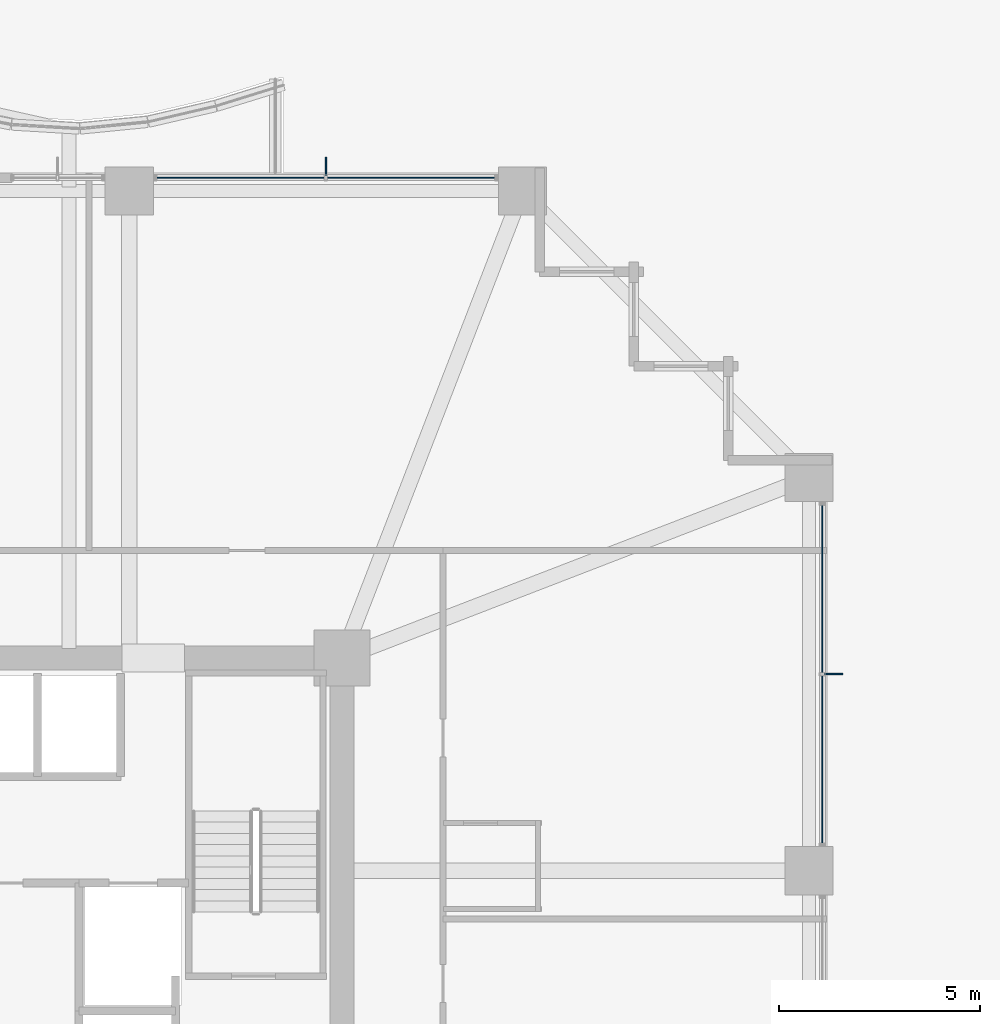
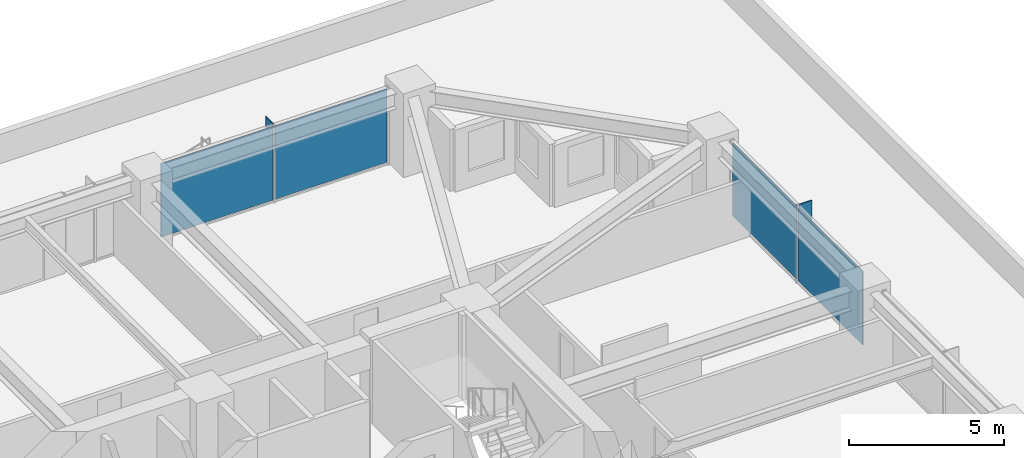
# One storey, part 29 of 36: 6 plates, 2 elements without a shape of their own.
"""IFC4 building model written with IfcOpenShell, lengths in metres."""

from ifc_helpers import new_model, si_unit, direction, frame, origin, origin_2d, place, context, subcontext, project, spatial, rectangle, extrude, material, layer, layer_set, type_object, element, aggregate, save


model = new_model("IFC4")

# Units and contexts
model_context = context("Model", 3, precision=1e-05, world=origin(), true_north=direction((0.0, 1.0)))
body_context = subcontext(model_context, "Body", "Model", "MODEL_VIEW")
ifc_project = project(units=[si_unit("LENGTHUNIT", "METRE"), si_unit("AREAUNIT", "SQUARE_METRE"), si_unit("VOLUMEUNIT", "CUBIC_METRE"), si_unit("PLANEANGLEUNIT", "RADIAN"), si_unit("MASSUNIT", "GRAM", prefix="KILO")], contexts=[model_context])

# Site, building, storey
site_placement = place(None, origin())
site = spatial("IfcSite", under=ifc_project, at=site_placement, CompositionType="ELEMENT")
building_placement = place(site_placement, origin())
building = spatial("IfcBuilding", under=site, at=building_placement, Name="Kolvaren Belvedere", CompositionType="ELEMENT")
storey_placement = place(building_placement, frame((0.0, 0.0, 23.800048828125)))
storey = spatial("IfcBuildingStorey", under=building, at=storey_placement, Name="L06", CompositionType="ELEMENT", Elevation=23.800048828125)

# Curtain wall, plates
ifc_material_1 = material(Name="Anodised pale-metal aluminium AA 6063-T6", Category="aluminium")
curtain_wall_type = type_object("IfcCurtainWallType", Name="CW-Z1-LOW", PredefinedType="NOTDEFINED", material=ifc_material_1)
curtain_wall_1_placement = place(storey_placement, origin())
curtain_wall_1 = element("IfcCurtainWall", 1, at=curtain_wall_1_placement, inside=storey, type_object=curtain_wall_type, Name="L06 Unitised Curtain Wall FCW-L06-E-B1", PredefinedType="NOTDEFINED")
ifc_material_2 = material(Name="Low-iron triple insulated glass", Category="glass")
ifc_layer_1 = layer(ifc_material_2, 0.028076171875)
ifc_layer_set_1 = layer_set([ifc_layer_1], Name="Low-iron triple insulated glass")
plate_type_1 = type_object("IfcPlateType", Name="CW-PNL-VIS28", PredefinedType="CURTAIN_PANEL", material=ifc_layer_set_1)
plate_1_placement = place(storey_placement, frame((21.8798828125, 11.62255859375, 0.080078125), z_axis=(0.0, 0.0, 1.0), x_axis=(0.0, -1.0, 0.0)))
plate_1 = element("IfcPlate", 2, at=plate_1_placement, type_object=plate_type_1, Name="FCW-L06-E-B1 Vision Glazing Panel 1", PredefinedType="CURTAIN_PANEL", context=body_context, shape_type="SweptSolid", body=[
    extrude(rectangle(XDim=4.1650390625, YDim=0.028076171875, at=origin_2d()), origin(), (0.0, 0.0, 1.0), 2.89990234375),
])
plate_2_placement = place(storey_placement, frame((21.8798828125, 7.37744140625, 0.080078125), z_axis=(0.0, 0.0, 1.0), x_axis=(0.0, -1.0, 0.0)))
plate_2 = element("IfcPlate", 3, at=plate_2_placement, type_object=plate_type_1, Name="FCW-L06-E-B1 Vision Glazing Panel 2", PredefinedType="CURTAIN_PANEL", context=body_context, shape_type="SweptSolid", body=[
    extrude(rectangle(XDim=4.1650390625, YDim=0.028076171875, at=origin_2d()), origin(), (0.0, 0.0, 1.0), 2.89990234375),
])
aggregate(curtain_wall_1, [plate_1, plate_2])

curtain_wall_2_placement = place(storey_placement, origin())
curtain_wall_2 = element("IfcCurtainWall", 4, at=curtain_wall_2_placement, inside=storey, type_object=curtain_wall_type, Name="L06 Unitised Curtain Wall FCW-L06-N2-B2", PredefinedType="NOTDEFINED")
plate_3_placement = place(storey_placement, frame((7.37744140625, 21.8798828125, 0.080078125), z_axis=(0.0, 0.0, 1.0), x_axis=(1.0, 0.0, 0.0)))
plate_3 = element("IfcPlate", 5, at=plate_3_placement, type_object=plate_type_1, Name="FCW-L06-N2-B2 Vision Glazing Panel 1", PredefinedType="CURTAIN_PANEL", context=body_context, shape_type="SweptSolid", body=[
    extrude(rectangle(XDim=4.1650390625, YDim=0.028076171875, at=origin_2d()), origin(), (0.0, 0.0, 1.0), 2.89990234375),
])
plate_4_placement = place(storey_placement, frame((11.62255859375, 21.8798828125, 0.080078125), z_axis=(0.0, 0.0, 1.0), x_axis=(1.0, 0.0, 0.0)))
plate_4 = element("IfcPlate", 6, at=plate_4_placement, type_object=plate_type_1, Name="FCW-L06-N2-B2 Vision Glazing Panel 2", PredefinedType="CURTAIN_PANEL", context=body_context, shape_type="SweptSolid", body=[
    extrude(rectangle(XDim=4.1650390625, YDim=0.028076171875, at=origin_2d()), origin(), (0.0, 0.0, 1.0), 2.89990234375),
])
aggregate(curtain_wall_2, [plate_3, plate_4])

# Plates
ifc_material_3 = material(Name="Anodised pale-metal aluminium AA 6063-T6", Category="aluminium")
ifc_layer_2 = layer(ifc_material_3, 0.0380859375)
ifc_layer_set_2 = layer_set([ifc_layer_2], Name="Anodised pale-metal aluminium AA 6063-T6")
plate_type_2 = type_object("IfcPlateType", Name="FIN-VERT-450", PredefinedType="USERDEFINED", material=ifc_layer_set_2)
for number, where, z_axis, x_axis, name in (
    (7, (22.1650390625, 9.5, 0.0), (0.0, 0.0, 1.0), (1.0, 0.0, 0.0), "L06 Pale-Metal Vertical Shading Fin FCW-L06-E-B1-1"),
    (8, (9.5, 22.1650390625, 0.0), (0.0, 0.0, 1.0), (0.0, 1.0, 0.0), "L06 Pale-Metal Vertical Shading Fin FCW-L06-N2-B2-1"),
):
    element("IfcPlate", number, at=place(storey_placement, frame(where, z_axis=z_axis, x_axis=x_axis)), inside=storey, type_object=plate_type_2, Name=name, ObjectType="VERTICAL FIN", PredefinedType="USERDEFINED", context=body_context, shape_type="SweptSolid", body=[
        extrude(rectangle(XDim=0.449951171875, YDim=0.0380859375, at=origin_2d()), origin(), (0.0, 0.0, 1.0), 3.06005859375),
    ])

save(model, "model.ifc")
